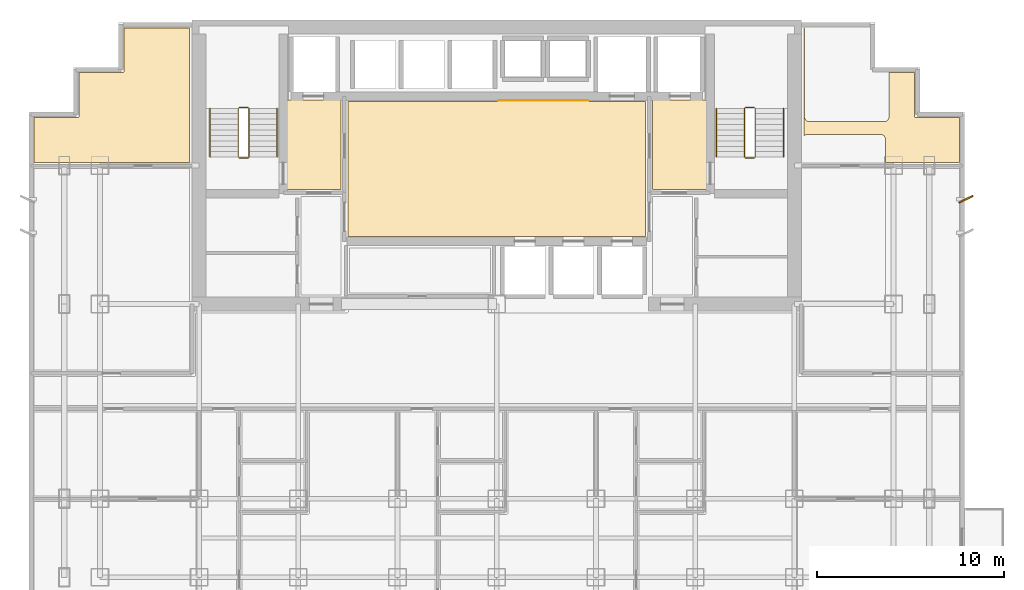
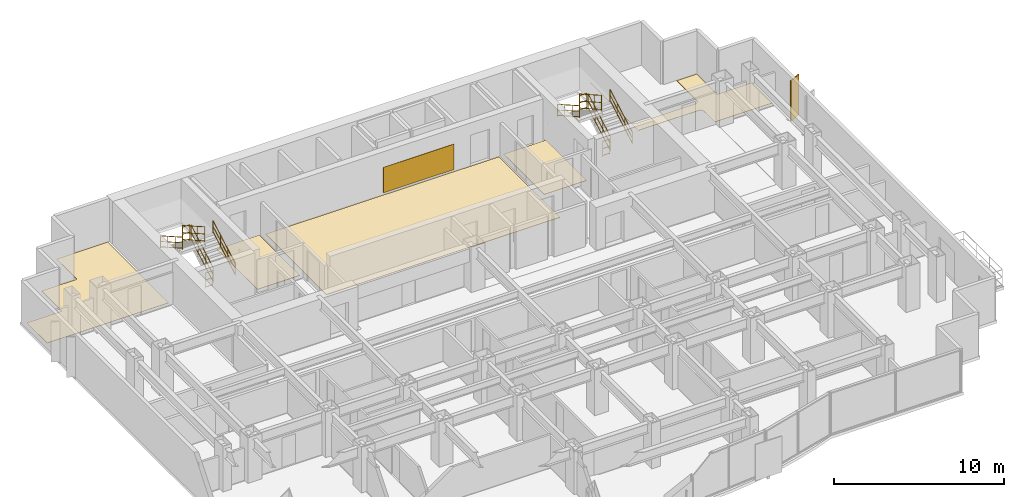
# One storey, part 9 of 9: 12 railings, 6 coverings, 1 shading device.
"""IFC4 building model written with IfcOpenShell, lengths in metres."""

from ifc_helpers import new_model, si_unit, direction, frame, origin, origin_2d, place, context, subcontext, project, spatial, polyline, rectangle, circle, outline, extrude, source, transform, mapped, material, layer, layer_set, type_object, element, save


model = new_model("IFC4")

# Units and contexts
model_context = context("Model", 3, precision=1e-05, world=origin(), true_north=direction((0.0, 1.0)))
body_context = subcontext(model_context, "Body", "Model", "MODEL_VIEW")
ifc_project = project(units=[si_unit("LENGTHUNIT", "METRE"), si_unit("AREAUNIT", "SQUARE_METRE"), si_unit("VOLUMEUNIT", "CUBIC_METRE"), si_unit("PLANEANGLEUNIT", "RADIAN"), si_unit("MASSUNIT", "GRAM", prefix="KILO")], contexts=[model_context])

# Site, building, storey
site_placement = place(None, origin())
site = spatial("IfcSite", under=ifc_project, at=site_placement, CompositionType="ELEMENT")
building_placement = place(site_placement, origin())
building = spatial("IfcBuilding", under=site, at=building_placement, Name="Qianlan Lanfeng Residences", CompositionType="ELEMENT")
storey_placement = place(building_placement, frame((0.0, 0.0, 111.39990234375)))
storey = spatial("IfcBuildingStorey", under=building, at=storey_placement, Name="L30", CompositionType="ELEMENT", Elevation=111.39990234375)

# Coverings
ifc_material_1 = material(Name="Anodised Bronze Feature Wall Cladding")
ifc_layer_1 = layer(ifc_material_1, 0.02490234375)
ifc_layer_set_1 = layer_set([ifc_layer_1], Name="Anodised Bronze Feature Wall Cladding")
covering_type_1 = type_object("IfcCoveringType", Name="CLD-BRZ-25", PredefinedType="CLADDING", material=ifc_layer_set_1)
covering_1_placement = place(storey_placement, frame((0.0, 0.0, 0.150146484375)))
element("IfcCovering", 1, at=covering_1_placement, inside=storey, type_object=covering_type_1, Name="L30 Lift Lobby Bronze Feature Cladding", PredefinedType="CLADDING", context=body_context, shape_type="SweptSolid", body=[
    extrude(outline(polyline([(26.60009765625, 36.050048828125), (31.39990234375, 36.050048828125), (31.39990234375, 36.074951171875), (26.60009765625, 36.074951171875), (26.60009765625, 36.050048828125)])), origin(), (0.0, 0.0, 1.0), 1.829833984375),
])
ifc_material_2 = material(Name="Honed Taitung Granite Stone Flooring", Category="masonry")
ifc_layer_2 = layer(ifc_material_2, 0.030029296875)
ifc_layer_set_2 = layer_set([ifc_layer_2], Name="Honed Taitung Granite Stone Flooring")
covering_type_2 = type_object("IfcCoveringType", Name="FLR-STN-30", PredefinedType="FLOORING", material=ifc_layer_set_2)
covering_2_placement = place(storey_placement, origin())
element("IfcCovering", 2, at=covering_2_placement, inside=storey, type_object=covering_type_2, Name="L30 Firefighting Lift Lobby Floor Finish", PredefinedType="FLOORING", context=body_context, shape_type="SweptSolid", body=[
    extrude(outline(polyline([(15.2900390625, 31.320068359375), (18.179931640625, 31.320068359375), (18.179931640625, 36.110107421875), (15.2900390625, 36.110107421875), (15.2900390625, 31.320068359375)])), origin(), (0.0, 0.0, 1.0), 0.030029296875),
])
covering_3_placement = place(storey_placement, origin())
element("IfcCovering", 3, at=covering_3_placement, inside=storey, type_object=covering_type_2, Name="L30 Firefighting Lift Lobby Floor Finish", PredefinedType="FLOORING", context=body_context, shape_type="SweptSolid", body=[
    extrude(outline(polyline([(34.820068359375, 31.320068359375), (37.7099609375, 31.320068359375), (37.7099609375, 36.110107421875), (34.820068359375, 36.110107421875), (34.820068359375, 31.320068359375)])), origin(), (0.0, 0.0, 1.0), 0.030029296875),
])
covering_4_placement = place(storey_placement, origin())
element("IfcCovering", 4, at=covering_4_placement, inside=storey, type_object=covering_type_2, Name="L30 Lift Lobby Floor Finish", PredefinedType="FLOORING", context=body_context, shape_type="SweptSolid", body=[
    extrude(outline(polyline([(18.550048828125, 28.820068359375), (34.449951171875, 28.820068359375), (34.449951171875, 36.010009765625), (18.550048828125, 36.010009765625), (18.550048828125, 28.820068359375)])), origin(), (0.0, 0.0, 1.0), 0.030029296875),
])
ifc_material_3 = material(Name="Engineered Smoked Oak Timber Flooring", Category="wood")
ifc_layer_3 = layer(ifc_material_3, 0.02197265625)
ifc_layer_set_3 = layer_set([ifc_layer_3], Name="Engineered Smoked Oak Timber Flooring")
covering_type_3 = type_object("IfcCoveringType", Name="FLR-TIM-22", PredefinedType="FLOORING", material=ifc_layer_set_3)
covering_5_placement = place(storey_placement, origin())
element("IfcCovering", 5, at=covering_5_placement, inside=storey, type_object=covering_type_3, Name="L30 Resident Lounge Floor Finish", PredefinedType="FLOORING", context=body_context, shape_type="SweptSolid", body=[
    extrude(outline(polyline([(1.7900390625, 32.75), (10.074951171875, 32.75), (10.074951171875, 39.9599609375), (6.590087890625, 39.9599609375), (6.590087890625, 37.6298828125), (6.590087890625, 37.623046875), (6.589111328125, 37.615966796875), (6.5869140625, 37.610107421875), (6.5849609375, 37.60302734375), (6.58203125, 37.596923828125), (6.577880859375, 37.591064453125), (6.573974609375, 37.5859375), (6.569091796875, 37.5810546875), (6.56396484375, 37.575927734375), (6.55908203125, 37.572021484375), (6.552978515625, 37.568115234375), (6.547119140625, 37.56494140625), (6.5400390625, 37.56298828125), (6.533935546875, 37.56103515625), (6.527099609375, 37.56005859375), (6.52001953125, 37.56005859375), (4.18994140625, 37.56005859375), (4.18994140625, 35.22998046875), (4.18994140625, 35.222900390625), (4.18896484375, 35.216064453125), (4.18701171875, 35.2099609375), (4.18505859375, 35.202880859375), (4.181884765625, 35.197021484375), (4.177978515625, 35.19091796875), (4.174072265625, 35.18603515625), (4.1689453125, 35.180908203125), (4.1640625, 35.176025390625), (4.158935546875, 35.172119140625), (4.153076171875, 35.16796875), (4.14697265625, 35.1650390625), (4.139892578125, 35.1630859375), (4.134033203125, 35.160888671875), (4.126953125, 35.159912109375), (4.1201171875, 35.159912109375), (1.7900390625, 35.159912109375), (1.7900390625, 32.75)])), origin(), (0.0, 0.0, 1.0), 0.022216796875),
])
covering_6_placement = place(storey_placement, origin())
element("IfcCovering", 6, at=covering_6_placement, inside=storey, type_object=covering_type_3, Name="L30 Resident Lounge Floor Finish", PredefinedType="FLOORING", context=body_context, shape_type="SweptSolid", body=[
    extrude(outline(polyline([(42.925048828125, 34.196044921875), (42.94091796875, 34.2080078125), (42.9619140625, 34.219970703125), (42.98388671875, 34.23095703125), (43.007080078125, 34.239013671875), (43.031005859375, 34.2451171875), (43.054931640625, 34.2490234375), (43.080078125, 34.25), (47.02001953125, 34.25), (47.044921875, 34.2490234375), (47.069091796875, 34.2451171875), (47.093017578125, 34.239013671875), (47.115966796875, 34.23095703125), (47.137939453125, 34.219970703125), (47.158935546875, 34.2080078125), (47.178955078125, 34.193115234375), (47.197021484375, 34.177001953125), (47.212890625, 34.158935546875), (47.22802734375, 34.138916015625), (47.239990234375, 34.117919921875), (47.2509765625, 34.095947265625), (47.259033203125, 34.072998046875), (47.264892578125, 34.049072265625), (47.26904296875, 34.02490234375), (47.27001953125, 34.0), (47.27001953125, 32.75), (51.2099609375, 32.75), (51.2099609375, 35.159912109375), (48.8798828125, 35.159912109375), (48.873046875, 35.159912109375), (48.865966796875, 35.160888671875), (48.860107421875, 35.1630859375), (48.85302734375, 35.1650390625), (48.846923828125, 35.16796875), (48.841064453125, 35.172119140625), (48.8359375, 35.176025390625), (48.8310546875, 35.180908203125), (48.825927734375, 35.18603515625), (48.822021484375, 35.19091796875), (48.818115234375, 35.197021484375), (48.81494140625, 35.202880859375), (48.81298828125, 35.2099609375), (48.81103515625, 35.216064453125), (48.81005859375, 35.222900390625), (48.81005859375, 35.22998046875), (48.81005859375, 37.56005859375), (47.449951171875, 37.56005859375), (47.449951171875, 35.199951171875), (47.448974609375, 35.175048828125), (47.445068359375, 35.15087890625), (47.43896484375, 35.126953125), (47.430908203125, 35.10400390625), (47.419921875, 35.08203125), (47.407958984375, 35.06103515625), (47.39306640625, 35.041015625), (47.376953125, 35.02294921875), (47.35888671875, 35.007080078125), (47.339111328125, 34.991943359375), (47.318115234375, 34.97998046875), (47.2958984375, 34.968994140625), (47.27294921875, 34.9609375), (47.2490234375, 34.955078125), (47.22509765625, 34.950927734375), (47.199951171875, 34.949951171875), (43.199951171875, 34.949951171875), (43.175048828125, 34.950927734375), (43.15087890625, 34.955078125), (43.126953125, 34.9609375), (43.10400390625, 34.968994140625), (43.08203125, 34.97998046875), (43.06103515625, 34.991943359375), (43.041015625, 35.007080078125), (43.02294921875, 35.02294921875), (43.007080078125, 35.041015625), (42.991943359375, 35.06103515625), (42.97998046875, 35.08203125), (42.968994140625, 35.10400390625), (42.9609375, 35.126953125), (42.955078125, 35.15087890625), (42.950927734375, 35.175048828125), (42.949951171875, 35.199951171875), (42.949951171875, 39.9599609375), (42.925048828125, 39.9599609375), (42.925048828125, 34.196044921875)])), origin(), (0.0, 0.0, 1.0), 0.022216796875),
])

# Railings
ifc_material_4 = material(Name="Painted Galvanised Steel Guardrail", Category="steel")
railing_type_1 = type_object("IfcRailingType", Name="GR-ST-1120", PredefinedType="GUARDRAIL", material=ifc_material_4)
railing_1_placement = place(storey_placement, frame((13.27001953125, 33.050048828125, 0.1650390625)))
element("IfcRailing", 7, at=railing_1_placement, inside=storey, type_object=railing_type_1, Name="L30 ST-1 stair guard 1", PredefinedType="GUARDRAIL", context=body_context, shape_type="SweptSolid", body=[
    extrude(circle(Radius=0.02392578125, at=origin_2d()), frame((0.0, 0.0, 0.083984375), z_axis=(0.0, 0.869137319866, 0.494570843475), x_axis=(-1.0, 0.0, 0.0)), (0.0, 0.0, 1.0), 3.0029296875),
    extrude(circle(Radius=0.02392578125, at=origin_2d()), frame((0.0, 0.0, 0.58251953125), z_axis=(0.0, 0.869137319866, 0.494570843475), x_axis=(-1.0, 0.0, 0.0)), (0.0, 0.0, 1.0), 3.0029296875),
    extrude(circle(Radius=0.02392578125, at=origin_2d()), frame((0.0, 0.0, 1.09619140625), z_axis=(0.0, 0.869137319866, 0.494570843475), x_axis=(-1.0, 0.0, 0.0)), (0.0, 0.0, 1.0), 3.0029296875),
    extrude(circle(Radius=0.02099609375, at=origin_2d()), origin(), (0.0, 0.0, 1.0), 1.072021484375),
    extrude(circle(Radius=0.02099609375, at=origin_2d()), frame((0.0, 0.869873046875, 0.4951171875)), (0.0, 0.0, 1.0), 1.072021484375),
    extrude(circle(Radius=0.02099609375, at=origin_2d()), frame((0.0, 1.739990234375, 0.989990234375)), (0.0, 0.0, 1.0), 1.072021484375),
    extrude(circle(Radius=0.02099609375, at=origin_2d()), frame((0.0, 2.60986328125, 1.485107421875)), (0.0, 0.0, 1.0), 1.072021484375),
])
railing_2_placement = place(storey_placement, frame((13.219970703125, 35.7099609375, 1.650146484375)))
element("IfcRailing", 8, at=railing_2_placement, inside=storey, type_object=railing_type_1, Name="L30 ST-1 stair guard 2", PredefinedType="GUARDRAIL", context=body_context, shape_type="SweptSolid", body=[
    extrude(circle(Radius=0.02392578125, at=origin_2d()), frame((0.0, 0.0, 0.083984375), z_axis=(-1.0, 0.0, 0.0), x_axis=(0.0, -1.0, 0.0)), (0.0, 0.0, 1.0), 0.47998046875),
    extrude(circle(Radius=0.02392578125, at=origin_2d()), frame((0.0, 0.0, 0.58251953125), z_axis=(-1.0, 0.0, 0.0), x_axis=(0.0, -1.0, 0.0)), (0.0, 0.0, 1.0), 0.47998046875),
    extrude(circle(Radius=0.02392578125, at=origin_2d()), frame((0.0, 0.0, 1.09619140625), z_axis=(-1.0, 0.0, 0.0), x_axis=(0.0, -1.0, 0.0)), (0.0, 0.0, 1.0), 0.47998046875),
    extrude(circle(Radius=0.02099609375, at=origin_2d()), origin(), (0.0, 0.0, 1.0), 1.072021484375),
    extrude(circle(Radius=0.02099609375, at=origin_2d()), frame((-0.47998046875, 0.0, 0.0)), (0.0, 0.0, 1.0), 1.072021484375),
])
railing_3_placement = place(storey_placement, frame((12.68994140625, 35.659912109375, 1.815185546875)))
element("IfcRailing", 9, at=railing_3_placement, inside=storey, type_object=railing_type_1, Name="L30 ST-1 stair guard 3", PredefinedType="GUARDRAIL", context=body_context, shape_type="SweptSolid", body=[
    extrude(circle(Radius=0.02392578125, at=origin_2d()), frame((0.0, 0.0, 0.083984375), z_axis=(0.0, -0.869172267526, 0.494509422927), x_axis=(1.0, 0.0, 0.0)), (0.0, 0.0, 1.0), 3.002685546875),
    extrude(circle(Radius=0.02392578125, at=origin_2d()), frame((0.0, 0.0, 0.58251953125), z_axis=(0.0, -0.869172267526, 0.494509422927), x_axis=(1.0, 0.0, 0.0)), (0.0, 0.0, 1.0), 3.002685546875),
    extrude(circle(Radius=0.02392578125, at=origin_2d()), frame((0.0, 0.0, 1.09619140625), z_axis=(0.0, -0.869172267526, 0.494509422927), x_axis=(1.0, 0.0, 0.0)), (0.0, 0.0, 1.0), 3.002685546875),
    extrude(circle(Radius=0.02099609375, at=origin_2d()), origin(), (0.0, 0.0, 1.0), 1.072021484375),
    extrude(circle(Radius=0.02099609375, at=origin_2d()), frame((0.0, -0.869873046875, 0.494873046875)), (0.0, 0.0, 1.0), 1.072021484375),
    extrude(circle(Radius=0.02099609375, at=origin_2d()), frame((0.0, -1.739990234375, 0.989990234375)), (0.0, 0.0, 1.0), 1.072021484375),
    extrude(circle(Radius=0.02099609375, at=origin_2d()), frame((0.0, -2.60986328125, 1.48486328125)), (0.0, 0.0, 1.0), 1.072021484375),
])
railing_4_placement = place(storey_placement, frame((13.219970703125, 33.0, 0.0)))
element("IfcRailing", 10, at=railing_4_placement, inside=storey, type_object=railing_type_1, Name="L30 ST-1 stair guard 4", PredefinedType="GUARDRAIL", context=body_context, shape_type="SweptSolid", body=[
    extrude(circle(Radius=0.02392578125, at=origin_2d()), frame((0.0, 0.0, 0.083984375), z_axis=(-1.0, 0.0, 0.0), x_axis=(0.0, -1.0, 0.0)), (0.0, 0.0, 1.0), 0.47998046875),
    extrude(circle(Radius=0.02392578125, at=origin_2d()), frame((0.0, 0.0, 0.58251953125), z_axis=(-1.0, 0.0, 0.0), x_axis=(0.0, -1.0, 0.0)), (0.0, 0.0, 1.0), 0.47998046875),
    extrude(circle(Radius=0.02392578125, at=origin_2d()), frame((0.0, 0.0, 1.09619140625), z_axis=(-1.0, 0.0, 0.0), x_axis=(0.0, -1.0, 0.0)), (0.0, 0.0, 1.0), 0.47998046875),
    extrude(circle(Radius=0.02099609375, at=origin_2d()), origin(), (0.0, 0.0, 1.0), 1.072021484375),
    extrude(circle(Radius=0.02099609375, at=origin_2d()), frame((-0.47998046875, 0.0, 0.0)), (0.0, 0.0, 1.0), 1.072021484375),
])
railing_5_placement = place(storey_placement, frame((40.31005859375, 33.050048828125, 0.1650390625)))
element("IfcRailing", 11, at=railing_5_placement, inside=storey, type_object=railing_type_1, Name="L30 ST-2 stair guard 1", PredefinedType="GUARDRAIL", context=body_context, shape_type="SweptSolid", body=[
    extrude(circle(Radius=0.02392578125, at=origin_2d()), frame((0.0, 0.0, 0.083984375), z_axis=(0.0, 0.869137319866, 0.494570843475), x_axis=(-1.0, 0.0, 0.0)), (0.0, 0.0, 1.0), 3.0029296875),
    extrude(circle(Radius=0.02392578125, at=origin_2d()), frame((0.0, 0.0, 0.58251953125), z_axis=(0.0, 0.869137319866, 0.494570843475), x_axis=(-1.0, 0.0, 0.0)), (0.0, 0.0, 1.0), 3.0029296875),
    extrude(circle(Radius=0.02392578125, at=origin_2d()), frame((0.0, 0.0, 1.09619140625), z_axis=(0.0, 0.869137319866, 0.494570843475), x_axis=(-1.0, 0.0, 0.0)), (0.0, 0.0, 1.0), 3.0029296875),
    extrude(circle(Radius=0.02099609375, at=origin_2d()), origin(), (0.0, 0.0, 1.0), 1.072021484375),
    extrude(circle(Radius=0.02099609375, at=origin_2d()), frame((0.0, 0.869873046875, 0.4951171875)), (0.0, 0.0, 1.0), 1.072021484375),
    extrude(circle(Radius=0.02099609375, at=origin_2d()), frame((0.0, 1.739990234375, 0.989990234375)), (0.0, 0.0, 1.0), 1.072021484375),
    extrude(circle(Radius=0.02099609375, at=origin_2d()), frame((0.0, 2.60986328125, 1.485107421875)), (0.0, 0.0, 1.0), 1.072021484375),
])
railing_6_placement = place(storey_placement, frame((40.260009765625, 35.7099609375, 1.650146484375)))
element("IfcRailing", 12, at=railing_6_placement, inside=storey, type_object=railing_type_1, Name="L30 ST-2 stair guard 2", PredefinedType="GUARDRAIL", context=body_context, shape_type="SweptSolid", body=[
    extrude(circle(Radius=0.02392578125, at=origin_2d()), frame((0.0, 0.0, 0.083984375), z_axis=(-1.0, 0.0, 0.0), x_axis=(0.0, -1.0, 0.0)), (0.0, 0.0, 1.0), 0.47998046875),
    extrude(circle(Radius=0.02392578125, at=origin_2d()), frame((0.0, 0.0, 0.58251953125), z_axis=(-1.0, 0.0, 0.0), x_axis=(0.0, -1.0, 0.0)), (0.0, 0.0, 1.0), 0.47998046875),
    extrude(circle(Radius=0.02392578125, at=origin_2d()), frame((0.0, 0.0, 1.09619140625), z_axis=(-1.0, 0.0, 0.0), x_axis=(0.0, -1.0, 0.0)), (0.0, 0.0, 1.0), 0.47998046875),
    extrude(circle(Radius=0.02099609375, at=origin_2d()), origin(), (0.0, 0.0, 1.0), 1.072021484375),
    extrude(circle(Radius=0.02099609375, at=origin_2d()), frame((-0.47998046875, 0.0, 0.0)), (0.0, 0.0, 1.0), 1.072021484375),
])
railing_7_placement = place(storey_placement, frame((39.72998046875, 35.659912109375, 1.815185546875)))
element("IfcRailing", 13, at=railing_7_placement, inside=storey, type_object=railing_type_1, Name="L30 ST-2 stair guard 3", PredefinedType="GUARDRAIL", context=body_context, shape_type="SweptSolid", body=[
    extrude(circle(Radius=0.02392578125, at=origin_2d()), frame((0.0, 0.0, 0.083984375), z_axis=(0.0, -0.869172267526, 0.494509422927), x_axis=(1.0, 0.0, 0.0)), (0.0, 0.0, 1.0), 3.002685546875),
    extrude(circle(Radius=0.02392578125, at=origin_2d()), frame((0.0, 0.0, 0.58251953125), z_axis=(0.0, -0.869172267526, 0.494509422927), x_axis=(1.0, 0.0, 0.0)), (0.0, 0.0, 1.0), 3.002685546875),
    extrude(circle(Radius=0.02392578125, at=origin_2d()), frame((0.0, 0.0, 1.09619140625), z_axis=(0.0, -0.869172267526, 0.494509422927), x_axis=(1.0, 0.0, 0.0)), (0.0, 0.0, 1.0), 3.002685546875),
    extrude(circle(Radius=0.02099609375, at=origin_2d()), origin(), (0.0, 0.0, 1.0), 1.072021484375),
    extrude(circle(Radius=0.02099609375, at=origin_2d()), frame((0.0, -0.869873046875, 0.494873046875)), (0.0, 0.0, 1.0), 1.072021484375),
    extrude(circle(Radius=0.02099609375, at=origin_2d()), frame((0.0, -1.739990234375, 0.989990234375)), (0.0, 0.0, 1.0), 1.072021484375),
    extrude(circle(Radius=0.02099609375, at=origin_2d()), frame((0.0, -2.60986328125, 1.48486328125)), (0.0, 0.0, 1.0), 1.072021484375),
])
railing_8_placement = place(storey_placement, frame((40.260009765625, 33.0, 0.0)))
element("IfcRailing", 14, at=railing_8_placement, inside=storey, type_object=railing_type_1, Name="L30 ST-2 stair guard 4", PredefinedType="GUARDRAIL", context=body_context, shape_type="SweptSolid", body=[
    extrude(circle(Radius=0.02392578125, at=origin_2d()), frame((0.0, 0.0, 0.083984375), z_axis=(-1.0, 0.0, 0.0), x_axis=(0.0, -1.0, 0.0)), (0.0, 0.0, 1.0), 0.47998046875),
    extrude(circle(Radius=0.02392578125, at=origin_2d()), frame((0.0, 0.0, 0.58251953125), z_axis=(-1.0, 0.0, 0.0), x_axis=(0.0, -1.0, 0.0)), (0.0, 0.0, 1.0), 0.47998046875),
    extrude(circle(Radius=0.02392578125, at=origin_2d()), frame((0.0, 0.0, 1.09619140625), z_axis=(-1.0, 0.0, 0.0), x_axis=(0.0, -1.0, 0.0)), (0.0, 0.0, 1.0), 0.47998046875),
    extrude(circle(Radius=0.02099609375, at=origin_2d()), origin(), (0.0, 0.0, 1.0), 1.072021484375),
    extrude(circle(Radius=0.02099609375, at=origin_2d()), frame((-0.47998046875, 0.0, 0.0)), (0.0, 0.0, 1.0), 1.072021484375),
])
ifc_material_5 = material(Name="Brushed Stainless Steel Handrail", Category="steel")
railing_type_2 = type_object("IfcRailingType", Name="HR-ST-920", PredefinedType="HANDRAIL", material=ifc_material_5)
railing_9_placement = place(storey_placement, frame((14.77001953125, 33.050048828125, 0.1650390625)))
element("IfcRailing", 15, at=railing_9_placement, inside=storey, type_object=railing_type_2, Name="L30 ST-1 stair handrail 1", PredefinedType="HANDRAIL", context=body_context, shape_type="SweptSolid", body=[
    extrude(circle(Radius=0.02392578125, at=origin_2d()), frame((0.0, 0.0, 0.083984375), z_axis=(0.0, 0.869137319866, 0.494570843475), x_axis=(-1.0, 0.0, 0.0)), (0.0, 0.0, 1.0), 3.0029296875),
    extrude(circle(Radius=0.02392578125, at=origin_2d()), frame((0.0, 0.0, 0.468017578125), z_axis=(0.0, 0.869137319866, 0.494570843475), x_axis=(-1.0, 0.0, 0.0)), (0.0, 0.0, 1.0), 3.0029296875),
    extrude(circle(Radius=0.02392578125, at=origin_2d()), frame((0.0, 0.0, 0.8759765625), z_axis=(0.0, 0.869137319866, 0.494570843475), x_axis=(-1.0, 0.0, 0.0)), (0.0, 0.0, 1.0), 3.0029296875),
    extrude(circle(Radius=0.02099609375, at=origin_2d()), origin(), (0.0, 0.0, 1.0), 0.851806640625),
    extrude(circle(Radius=0.02099609375, at=origin_2d()), frame((0.0, 0.869873046875, 0.4951171875)), (0.0, 0.0, 1.0), 0.851806640625),
    extrude(circle(Radius=0.02099609375, at=origin_2d()), frame((0.0, 1.739990234375, 0.989990234375)), (0.0, 0.0, 1.0), 0.851806640625),
    extrude(circle(Radius=0.02099609375, at=origin_2d()), frame((0.0, 2.60986328125, 1.485107421875)), (0.0, 0.0, 1.0), 0.851806640625),
])
railing_10_placement = place(storey_placement, frame((11.18994140625, 35.659912109375, 1.815185546875)))
element("IfcRailing", 16, at=railing_10_placement, inside=storey, type_object=railing_type_2, Name="L30 ST-1 stair handrail 2", PredefinedType="HANDRAIL", context=body_context, shape_type="SweptSolid", body=[
    extrude(circle(Radius=0.02392578125, at=origin_2d()), frame((0.0, 0.0, 0.083984375), z_axis=(0.0, -0.869172267526, 0.494509422927), x_axis=(1.0, 0.0, 0.0)), (0.0, 0.0, 1.0), 3.002685546875),
    extrude(circle(Radius=0.02392578125, at=origin_2d()), frame((0.0, 0.0, 0.468017578125), z_axis=(0.0, -0.869172267526, 0.494509422927), x_axis=(1.0, 0.0, 0.0)), (0.0, 0.0, 1.0), 3.002685546875),
    extrude(circle(Radius=0.02392578125, at=origin_2d()), frame((0.0, 0.0, 0.8759765625), z_axis=(0.0, -0.869172267526, 0.494509422927), x_axis=(1.0, 0.0, 0.0)), (0.0, 0.0, 1.0), 3.002685546875),
    extrude(circle(Radius=0.02099609375, at=origin_2d()), origin(), (0.0, 0.0, 1.0), 0.851806640625),
    extrude(circle(Radius=0.02099609375, at=origin_2d()), frame((0.0, -0.869873046875, 0.494873046875)), (0.0, 0.0, 1.0), 0.851806640625),
    extrude(circle(Radius=0.02099609375, at=origin_2d()), frame((0.0, -1.739990234375, 0.989990234375)), (0.0, 0.0, 1.0), 0.851806640625),
    extrude(circle(Radius=0.02099609375, at=origin_2d()), frame((0.0, -2.60986328125, 1.48486328125)), (0.0, 0.0, 1.0), 0.851806640625),
])
railing_11_placement = place(storey_placement, frame((41.81005859375, 33.050048828125, 0.1650390625)))
element("IfcRailing", 17, at=railing_11_placement, inside=storey, type_object=railing_type_2, Name="L30 ST-2 stair handrail 1", PredefinedType="HANDRAIL", context=body_context, shape_type="SweptSolid", body=[
    extrude(circle(Radius=0.02392578125, at=origin_2d()), frame((0.0, 0.0, 0.083984375), z_axis=(0.0, 0.869137319866, 0.494570843475), x_axis=(-1.0, 0.0, 0.0)), (0.0, 0.0, 1.0), 3.0029296875),
    extrude(circle(Radius=0.02392578125, at=origin_2d()), frame((0.0, 0.0, 0.468017578125), z_axis=(0.0, 0.869137319866, 0.494570843475), x_axis=(-1.0, 0.0, 0.0)), (0.0, 0.0, 1.0), 3.0029296875),
    extrude(circle(Radius=0.02392578125, at=origin_2d()), frame((0.0, 0.0, 0.8759765625), z_axis=(0.0, 0.869137319866, 0.494570843475), x_axis=(-1.0, 0.0, 0.0)), (0.0, 0.0, 1.0), 3.0029296875),
    extrude(circle(Radius=0.02099609375, at=origin_2d()), origin(), (0.0, 0.0, 1.0), 0.851806640625),
    extrude(circle(Radius=0.02099609375, at=origin_2d()), frame((0.0, 0.869873046875, 0.4951171875)), (0.0, 0.0, 1.0), 0.851806640625),
    extrude(circle(Radius=0.02099609375, at=origin_2d()), frame((0.0, 1.739990234375, 0.989990234375)), (0.0, 0.0, 1.0), 0.851806640625),
    extrude(circle(Radius=0.02099609375, at=origin_2d()), frame((0.0, 2.60986328125, 1.485107421875)), (0.0, 0.0, 1.0), 0.851806640625),
])
railing_12_placement = place(storey_placement, frame((38.22998046875, 35.659912109375, 1.815185546875)))
element("IfcRailing", 18, at=railing_12_placement, inside=storey, type_object=railing_type_2, Name="L30 ST-2 stair handrail 2", PredefinedType="HANDRAIL", context=body_context, shape_type="SweptSolid", body=[
    extrude(circle(Radius=0.02392578125, at=origin_2d()), frame((0.0, 0.0, 0.083984375), z_axis=(0.0, -0.869172267526, 0.494509422927), x_axis=(1.0, 0.0, 0.0)), (0.0, 0.0, 1.0), 3.002685546875),
    extrude(circle(Radius=0.02392578125, at=origin_2d()), frame((0.0, 0.0, 0.468017578125), z_axis=(0.0, -0.869172267526, 0.494509422927), x_axis=(1.0, 0.0, 0.0)), (0.0, 0.0, 1.0), 3.002685546875),
    extrude(circle(Radius=0.02392578125, at=origin_2d()), frame((0.0, 0.0, 0.8759765625), z_axis=(0.0, -0.869172267526, 0.494509422927), x_axis=(1.0, 0.0, 0.0)), (0.0, 0.0, 1.0), 3.002685546875),
    extrude(circle(Radius=0.02099609375, at=origin_2d()), origin(), (0.0, 0.0, 1.0), 0.851806640625),
    extrude(circle(Radius=0.02099609375, at=origin_2d()), frame((0.0, -0.869873046875, 0.494873046875)), (0.0, 0.0, 1.0), 0.851806640625),
    extrude(circle(Radius=0.02099609375, at=origin_2d()), frame((0.0, -1.739990234375, 0.989990234375)), (0.0, 0.0, 1.0), 0.851806640625),
    extrude(circle(Radius=0.02099609375, at=origin_2d()), frame((0.0, -2.60986328125, 1.48486328125)), (0.0, 0.0, 1.0), 0.851806640625),
])

# Shading device
ifc_material_6 = material(Name="Anodised Bronze Aluminium Solar Fin", Category="aluminium")
shading_device_type = type_object("IfcShadingDeviceType", Name="FIN-BRZ-850", PredefinedType="SHUTTER", material=ifc_material_6)
shared_shape = source(origin(), body_context, "Body", "SweptSolid", [
    extrude(rectangle(XDim=0.85009765625, YDim=0.080078125, at=origin_2d()), origin(), (0.0, 0.0, 1.0), 2.89990234375),
])
shading_device_placement = place(storey_placement, frame((51.570068359375, 30.800048828125, 0.000244140625), z_axis=(0.0, 0.0, 1.0), x_axis=(0.898794046299, 0.438371146789, 0.0)))
element("IfcShadingDevice", 19, at=shading_device_placement, inside=storey, type_object=shading_device_type, Name="L30 Raked Bronze Solar Fin E2", PredefinedType="SHUTTER", context=body_context, shape_type="MappedRepresentation", body=[
    mapped(shared_shape, transform((0.0, 0.0, 0.0), scale=1.0)),
])

save(model, "model.ifc")
